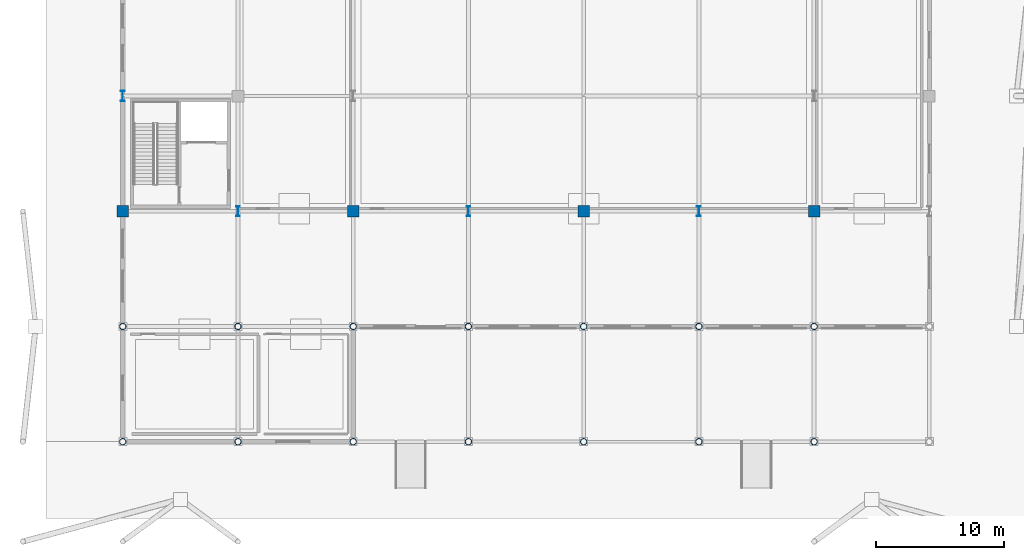
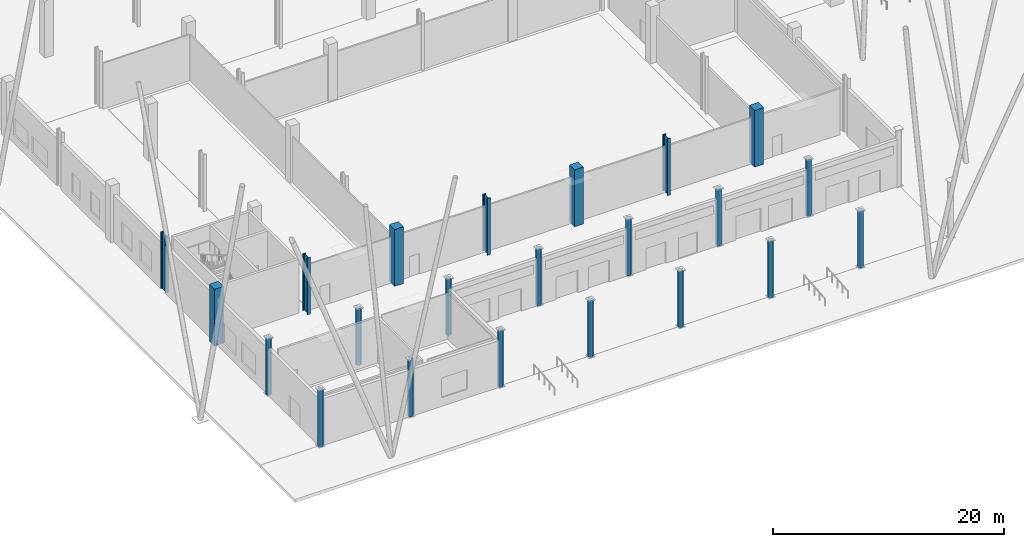
# One storey, part 1 of 58: 22 columns.
"""IFC4 building model written with IfcOpenShell, lengths in metres."""

from ifc_helpers import new_model, si_unit, direction, frame, origin, origin_2d, place, context, subcontext, project, spatial, rectangle, hollow_circle, i_section, extrude, material, material_profile, profile_set, type_object, element, save


model = new_model("IFC4")

# Units and contexts
model_context = context("Model", 3, precision=1e-05, world=origin(), true_north=direction((0.0, 1.0)))
body_context = subcontext(model_context, "Body", "Model", "MODEL_VIEW")
ifc_project = project(units=[si_unit("LENGTHUNIT", "METRE"), si_unit("AREAUNIT", "SQUARE_METRE"), si_unit("VOLUMEUNIT", "CUBIC_METRE"), si_unit("PLANEANGLEUNIT", "RADIAN"), si_unit("MASSUNIT", "GRAM", prefix="KILO")], contexts=[model_context])

# Site, building, storey
site_placement = place(None, origin())
site = spatial("IfcSite", under=ifc_project, at=site_placement, CompositionType="ELEMENT")
building_placement = place(site_placement, origin())
building = spatial("IfcBuilding", under=site, at=building_placement, Name="Barlavento Convention Centre", CompositionType="ELEMENT")
storey_placement = place(building_placement, origin())
storey = spatial("IfcBuildingStorey", under=building, at=storey_placement, Name="L00", CompositionType="ELEMENT", Elevation=0.0)

# Columns
ifc_material_1 = material(Name="Steel S460", Category="steel")
ifc_material_profile_1 = material_profile(ifc_material_1, hollow_circle(Radius=0.25390625, WallThickness=0.02001953125, at=origin_2d()), Name="CHS 508.0x20.0")
ifc_profile_set_1 = profile_set([ifc_material_profile_1], Name="Steel S460")
column_type_1 = type_object("IfcColumnType", Name="STR-COL-CHS508", PredefinedType="COLUMN", material=ifc_profile_set_1)
for number, where, z_axis, x_axis, name in (
    (1, (0.0, 0.0, 0.0), (0.0, 0.0, 1.0), (1.0, 0.0, 0.0), "L00 column SC13"),
    (2, (0.0, 9.0, 0.0), (0.0, 0.0, 1.0), (1.0, 0.0, 0.0), "L00 column SC13"),
    (3, (9.0, 0.0, 0.0), (0.0, 0.0, 1.0), (1.0, 0.0, 0.0), "L00 column SC13"),
    (4, (9.0, 9.0, 0.0), (0.0, 0.0, 1.0), (1.0, 0.0, 0.0), "L00 column SC13"),
    (5, (18.0, 0.0, 0.0), (0.0, 0.0, 1.0), (1.0, 0.0, 0.0), "L00 column SC13"),
    (6, (18.0, 9.0, 0.0), (0.0, 0.0, 1.0), (1.0, 0.0, 0.0), "L00 column SC13"),
    (7, (27.0, 0.0, 0.0), (0.0, 0.0, 1.0), (1.0, 0.0, 0.0), "L00 column SC13"),
    (8, (27.0, 9.0, 0.0), (0.0, 0.0, 1.0), (1.0, 0.0, 0.0), "L00 column SC13"),
    (9, (36.0, 0.0, 0.0), (0.0, 0.0, 1.0), (1.0, 0.0, 0.0), "L00 column SC13"),
    (10, (36.0, 9.0, 0.0), (0.0, 0.0, 1.0), (1.0, 0.0, 0.0), "L00 column SC13"),
    (11, (45.0, 0.0, 0.0), (0.0, 0.0, 1.0), (1.0, 0.0, 0.0), "L00 column SC13"),
    (12, (45.0, 9.0, 0.0), (0.0, 0.0, 1.0), (1.0, 0.0, 0.0), "L00 column SC13"),
    (13, (54.0, 0.0, 0.0), (0.0, 0.0, 1.0), (1.0, 0.0, 0.0), "L00 column SC13"),
    (14, (54.0, 9.0, 0.0), (0.0, 0.0, 1.0), (1.0, 0.0, 0.0), "L00 column SC13"),
):
    element("IfcColumn", number, at=place(storey_placement, frame(where, z_axis=z_axis, x_axis=x_axis)), inside=storey, type_object=column_type_1, Name=name, PredefinedType="COLUMN", context=body_context, shape_type="SweptSolid", body=[
        extrude(hollow_circle(Radius=0.25390625, WallThickness=0.02001953125, at=origin_2d()), origin(), (0.0, 0.0, 1.0), 6.0),
    ])
ifc_material_profile_2 = material_profile(ifc_material_1, i_section(OverallWidth=0.302978515625, OverallDepth=0.81396484375, WebThickness=0.02099609375, FlangeThickness=0.0400390625, FilletRadius=0.030029296875, at=origin_2d()), Name="HEM 800")
ifc_profile_set_2 = profile_set([ifc_material_profile_2], Name="Steel S460")
column_type_2 = type_object("IfcColumnType", Name="STR-COL-HEM800", PredefinedType="COLUMN", material=ifc_profile_set_2)
for number, where, z_axis, x_axis, name in (
    (15, (0.0, 27.0, 0.0), (0.0, 0.0, 1.0), (1.0, 0.0, 0.0), "L00 column SC02"),
    (16, (9.0, 18.0, 0.0), (0.0, 0.0, 1.0), (1.0, 0.0, 0.0), "L00 column SC02"),
    (17, (27.0, 18.0, 0.0), (0.0, 0.0, 1.0), (1.0, 0.0, 0.0), "L00 column SC02"),
    (18, (45.0, 18.0, 0.0), (0.0, 0.0, 1.0), (1.0, 0.0, 0.0), "L00 column SC02"),
):
    element("IfcColumn", number, at=place(storey_placement, frame(where, z_axis=z_axis, x_axis=x_axis)), inside=storey, type_object=column_type_2, Name=name, PredefinedType="COLUMN", context=body_context, shape_type="SweptSolid", body=[
        extrude(i_section(OverallWidth=0.302978515625, OverallDepth=0.81396484375, WebThickness=0.02099609375, FlangeThickness=0.0400390625, FilletRadius=0.030029296875, at=origin_2d()), origin(), (0.0, 0.0, 1.0), 6.0),
    ])
ifc_material_2 = material(Name="Concrete C50/60", Category="concrete")
ifc_material_profile_3 = material_profile(ifc_material_2, rectangle(XDim=0.89990234375, YDim=0.89990234375, at=origin_2d()), Name="RC 900x900")
ifc_profile_set_3 = profile_set([ifc_material_profile_3], Name="Concrete C50/60")
column_type_3 = type_object("IfcColumnType", Name="STR-COL-RC900", PredefinedType="COLUMN", material=ifc_profile_set_3)
for number, where, z_axis, x_axis, name in (
    (19, (0.0, 18.0, 0.0), (0.0, 0.0, 1.0), (1.0, 0.0, 0.0), "L00 column CC04"),
    (20, (18.0, 18.0, 0.0), (0.0, 0.0, 1.0), (1.0, 0.0, 0.0), "L00 column CC04"),
    (21, (36.0, 18.0, 0.0), (0.0, 0.0, 1.0), (1.0, 0.0, 0.0), "L00 column CC04"),
    (22, (54.0, 18.0, 0.0), (0.0, 0.0, 1.0), (1.0, 0.0, 0.0), "L00 column CC04"),
):
    element("IfcColumn", number, at=place(storey_placement, frame(where, z_axis=z_axis, x_axis=x_axis)), inside=storey, type_object=column_type_3, Name=name, PredefinedType="COLUMN", context=body_context, shape_type="SweptSolid", body=[
        extrude(rectangle(XDim=0.89990234375, YDim=0.89990234375, at=origin_2d()), origin(), (0.0, 0.0, 1.0), 6.0),
    ])

save(model, "model.ifc")
